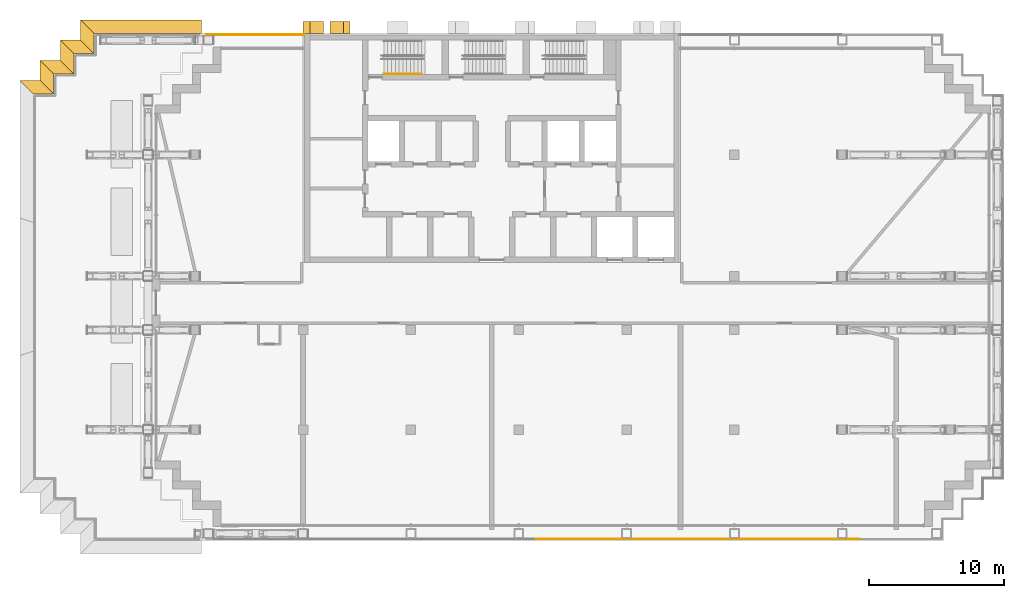
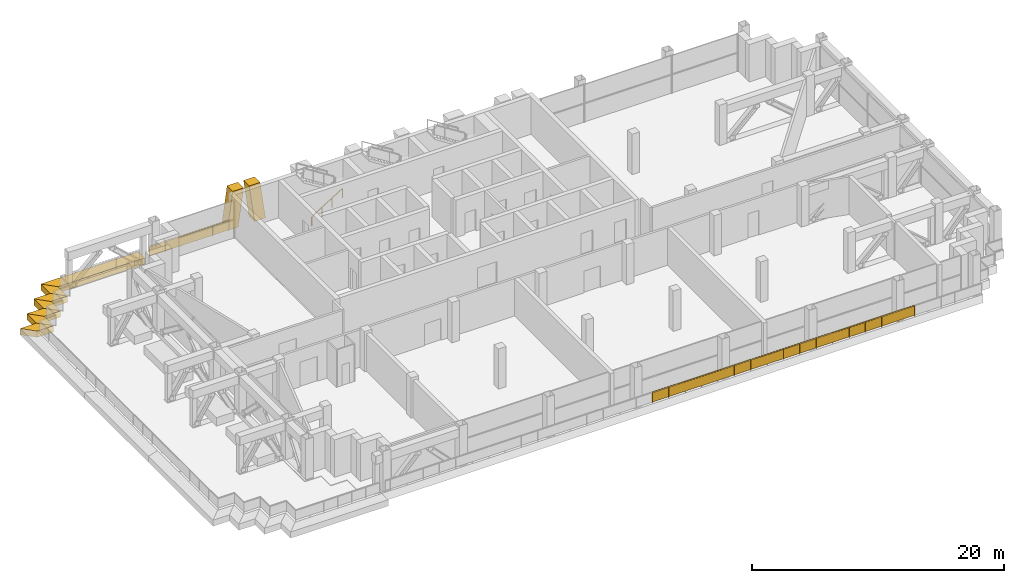
# One storey, part 19 of 21: 9 shading devices, 4 railings.
"""IFC4 building model written with IfcOpenShell, lengths in metres."""

import ifcopenshell
import ifcopenshell.guid

model = None  # the IFC model being written
_history = None  # IfcOwnerHistory: only IFC2X3 demands one
_inside = {}  # id of a spatial element -> (the spatial element, [elements in it])
_under = {}  # id of a project, library or spatial element -> (it, [spatial elements below it])
_declared = {}  # id of a project -> (the project, [libraries it declares])
_typed = {}  # id of a type object -> (the type object, [elements of that type])
_made_of = {}  # id of a material, layer set ... -> (it, [elements and type objects made of it])


def new_model(schema):
    """Start an empty IFC model of exactly this schema.

    Asked for "IFC4X3", IfcOpenShell would pick the latest addendum, in which some entities
    have other attributes; the version numbers below select the first issue.
    IFC2X3 requires an IfcOwnerHistory on every rooted entity: one is made here for all.
    """
    global model, _history
    if schema == "IFC4X3":
        model = ifcopenshell.file(schema_version=(4, 3, 0, 0))
    else:
        model = ifcopenshell.file(schema=schema)
    _inside.clear()
    _under.clear()
    _declared.clear()
    _typed.clear()
    _made_of.clear()
    _history = None
    if model.schema == "IFC2X3":
        org = make("IfcOrganization", Name="unknown")
        user = make(
            "IfcPersonAndOrganization",
            ThePerson=make("IfcPerson", FamilyName="unknown"),
            TheOrganization=org,
        )
        app = make(
            "IfcApplication",
            ApplicationDeveloper=org,
            Version="unknown",
            ApplicationFullName="unknown",
            ApplicationIdentifier="unknown",
        )
        _history = make(
            "IfcOwnerHistory",
            OwningUser=user,
            OwningApplication=app,
            ChangeAction="ADDED",
            CreationDate=0,
        )
    return model


def make(cls, **values):
    """One entity of the class cls with the attributes given. An attribute that is None is left unset."""
    return model.create_entity(
        cls, **{name: value for name, value in values.items() if value is not None}
    )


def rooted(cls, **values):
    """An entity with a GlobalId (a new one), such as an element, a storey or a relation."""
    return make(cls, GlobalId=ifcopenshell.guid.new(), OwnerHistory=_history, **values)


def si_unit(unit_type, name, prefix=None):
    """IfcSIUnit, for example si_unit("LENGTHUNIT", "METRE", prefix="MILLI")."""
    return make("IfcSIUnit", UnitType=unit_type, Prefix=prefix, Name=name)


def assignment(units):
    """IfcUnitAssignment: the units of a project."""
    return None if units is None else make("IfcUnitAssignment", Units=units)


def point(xyz):
    """IfcCartesianPoint."""
    return None if xyz is None else make("IfcCartesianPoint", Coordinates=xyz)


def direction(xyz):
    """IfcDirection."""
    return None if xyz is None else make("IfcDirection", DirectionRatios=xyz)


def frame(location, z_axis=None, x_axis=None):
    """IfcAxis2Placement3D, a coordinate frame: its origin and axes. An axis left out is left unset."""
    return make(
        "IfcAxis2Placement3D",
        Location=point(location),
        Axis=direction(z_axis),
        RefDirection=direction(x_axis),
    )


def frame_2d(location, x_axis=None):
    """IfcAxis2Placement2D, a coordinate frame in the plane: its origin and x axis."""
    return make(
        "IfcAxis2Placement2D", Location=point(location), RefDirection=direction(x_axis)
    )


def origin():
    """The frame at (0, 0, 0) with its axes left unset."""
    return frame((0.0, 0.0, 0.0))


def origin_2d():
    """The frame at (0, 0) in the plane with its x axis left unset."""
    return frame_2d((0.0, 0.0))


def place(relative_to, where):
    """IfcLocalPlacement: puts the frame where relative to a parent placement (None: the world)."""
    return make(
        "IfcLocalPlacement", PlacementRelTo=relative_to, RelativePlacement=where
    )


def context(
    kind, dimensions, precision=None, world=None, true_north=None, identifier=None
):
    """IfcGeometricRepresentationContext, for example the 3D "Model" context."""
    return make(
        "IfcGeometricRepresentationContext",
        ContextIdentifier=identifier,
        ContextType=kind,
        CoordinateSpaceDimension=dimensions,
        Precision=precision,
        WorldCoordinateSystem=world,
        TrueNorth=true_north,
    )


def subcontext(parent, identifier, kind, view, scale=None):
    """IfcGeometricRepresentationSubContext, for example "Body" below "Model"."""
    return make(
        "IfcGeometricRepresentationSubContext",
        ContextIdentifier=identifier,
        ContextType=kind,
        ParentContext=parent,
        TargetScale=scale,
        TargetView=view,
    )


def project(units=None, contexts=None):
    """IfcProject with its units and contexts."""
    return rooted(
        "IfcProject",
        Name="project",
        RepresentationContexts=contexts,
        UnitsInContext=assignment(units),
    )


def spatial(cls, under=None, at=None, **own):
    """A site, building, storey or space (cls), placed at a placement, below another one or the project."""
    s = rooted(cls, ObjectPlacement=at, **own)
    if under is not None:
        _under.setdefault(under.id(), (under, []))[1].append(s)
    return s


def polyline(points):
    """IfcPolyline through the points."""
    return make("IfcPolyline", Points=[point(p) for p in points])


def profile(cls, at=None, kind="AREA", **sizes):
    """A parametric profile (cls). Its sizes go by their IFC names, for example OverallWidth=200.0."""
    return make(cls, ProfileType=kind, Position=at, **sizes)


def rectangle(**sizes):
    """IfcRectangleProfileDef."""
    return profile("IfcRectangleProfileDef", **sizes)


def circle(**sizes):
    """IfcCircleProfileDef."""
    return profile("IfcCircleProfileDef", **sizes)


def outline(outer, holes=None, kind="AREA"):
    """IfcArbitraryClosedProfileDef: a profile drawn as a closed curve; with holes, ...WithVoids."""
    if holes is None:
        return make("IfcArbitraryClosedProfileDef", ProfileType=kind, OuterCurve=outer)
    return make(
        "IfcArbitraryProfileDefWithVoids",
        ProfileType=kind,
        OuterCurve=outer,
        InnerCurves=holes,
    )


def extrude(swept, where, along, depth):
    """IfcExtrudedAreaSolid: the profile swept, set in the frame where, extruded along a direction by depth."""
    return make(
        "IfcExtrudedAreaSolid",
        SweptArea=swept,
        Position=where,
        ExtrudedDirection=direction(along),
        Depth=depth,
    )


def shape(context_of_items, identifier, shape_type, items):
    """IfcShapeRepresentation: the items that make up one representation, for example the "Body"."""
    return make(
        "IfcShapeRepresentation",
        ContextOfItems=context_of_items,
        RepresentationIdentifier=identifier,
        RepresentationType=shape_type,
        Items=items,
    )


def material(Name=None, Category=None):
    """IfcMaterial."""
    return make("IfcMaterial", Name=Name, Category=Category)


def layer(
    of_material, thickness, ventilated=None, Name=None, Category=None, Priority=None
):
    """IfcMaterialLayer: one layer of a wall or slab, of a material (None: an air gap)."""
    return make(
        "IfcMaterialLayer",
        Material=of_material,
        LayerThickness=thickness,
        IsVentilated=ventilated,
        Name=Name,
        Category=Category,
        Priority=Priority,
    )


def layer_set(layers, Name=None):
    """IfcMaterialLayerSet."""
    return make("IfcMaterialLayerSet", MaterialLayers=layers, LayerSetName=Name)


def made_of(thing, what):
    """Note that an element or type object is made of a material, layer set ...; save() writes the relation."""
    if what is not None:
        _made_of.setdefault(what.id(), (what, []))[1].append(thing)
    return thing


def type_object(cls, material=None, **own):
    """A type object (cls), such as IfcWallType, which elements share."""
    return made_of(rooted(cls, **own), material)


def element(
    cls,
    number,
    at=None,
    inside=None,
    cuts=None,
    type_object=None,
    material=None,
    context=None,
    identifier="Body",
    shape_type=None,
    held_by="IfcProductDefinitionShape",
    body=None,
    shapes=None,
    **own,
):
    """One element of the class cls, such as IfcWall. Its Tag is "e" and its number.

    at: its placement. inside: the storey or other place that contains it. cuts: it is an
    opening in that element (IfcRelVoidsElement). A single representation is given by context,
    identifier, shape_type and body (its items); several are given by shapes. held_by: the class
    of the entity that holds the representations. save() writes the other relations.
    """
    e = rooted(cls, Tag="e%d" % number, ObjectPlacement=at, **own)
    if body is not None:
        shapes = [shape(context, identifier, shape_type, body)]
    if shapes is not None:
        e.Representation = make(held_by, Representations=shapes)
    if inside is not None:
        _inside.setdefault(inside.id(), (inside, []))[1].append(e)
    if cuts is not None:
        rooted(
            "IfcRelVoidsElement", RelatingBuildingElement=cuts, RelatedOpeningElement=e
        )
    if type_object is not None:
        _typed.setdefault(type_object.id(), (type_object, []))[1].append(e)
    return made_of(e, material)


def aggregate(whole, parts):
    """IfcRelAggregates: a whole, such as a stair, and the parts it consists of."""
    return rooted("IfcRelAggregates", RelatingObject=whole, RelatedObjects=parts)


def save(model, path):
    """Write the relations noted so far, then the file.

    IfcRelAggregates (storeys below a building ...), IfcRelContainedInSpatialStructure (elements
    in a storey), IfcRelDefinesByType, IfcRelAssociatesMaterial and IfcRelDeclares: one each for
    every whole, place, type object, material and project.
    """
    for whole, parts in _under.values():
        aggregate(whole, parts)
    for where, things in _inside.values():
        rooted(
            "IfcRelContainedInSpatialStructure",
            RelatedElements=things,
            RelatingStructure=where,
        )
    for kind, things in _typed.values():
        rooted("IfcRelDefinesByType", RelatedObjects=things, RelatingType=kind)
    for what, things in _made_of.values():
        rooted("IfcRelAssociatesMaterial", RelatedObjects=things, RelatingMaterial=what)
    for by, libraries in _declared.values():
        rooted("IfcRelDeclares", RelatingContext=by, RelatedDefinitions=libraries)
    model.write(path)


model = new_model("IFC4")

# Units and contexts
model_context = context("Model", 3, precision=1e-05, world=origin(), true_north=direction((0.0, 1.0)))
body_context = subcontext(model_context, "Body", "Model", "MODEL_VIEW")
ifc_project = project(units=[si_unit("LENGTHUNIT", "METRE"), si_unit("AREAUNIT", "SQUARE_METRE"), si_unit("VOLUMEUNIT", "CUBIC_METRE"), si_unit("PLANEANGLEUNIT", "RADIAN"), si_unit("MASSUNIT", "GRAM", prefix="KILO")], contexts=[model_context])

# Site, building, storey
site_placement = place(None, origin())
site = spatial("IfcSite", under=ifc_project, at=site_placement, CompositionType="ELEMENT")
building_placement = place(site_placement, origin())
building = spatial("IfcBuilding", under=site, at=building_placement, Name="Vidyagriha Tower", CompositionType="ELEMENT")
storey_placement = place(building_placement, frame((0.0, 0.0, 161.39990234375)))
storey = spatial("IfcBuildingStorey", under=building, at=storey_placement, Name="L41", CompositionType="ELEMENT", Elevation=161.39990234375)

# Shading devices
ifc_material_1 = material(Name="Precast concrete C40/50 with brick facing", Category="concrete")
ifc_layer_1 = layer(ifc_material_1, 1.0)
ifc_layer_set_1 = layer_set([ifc_layer_1], Name="Precast concrete C40/50 with brick facing")
shading_device_type_1 = type_object("IfcShadingDeviceType", Name="Brick chhajja fascia 600", PredefinedType="USERDEFINED", material=ifc_layer_set_1)
shading_device_1_placement = place(storey_placement, frame((0.0, 0.0, -0.599853515625)))
element("IfcShadingDevice", 1, at=shading_device_1_placement, inside=storey, type_object=shading_device_type_1, Name="Chhajja fascia TR-B4-1 1", ObjectType="CHHAJJA", PredefinedType="USERDEFINED", context=body_context, shape_type="SweptSolid", body=[
    extrude(outline(polyline([(-21.550048828125, 20.0), (-21.550048828125, 21.0), (-30.5, 21.0), (-29.5, 20.0), (-21.550048828125, 20.0)])), origin(), (0.0, 0.0, 1.0), 0.599853515625),
])
shading_device_2_placement = place(storey_placement, frame((0.0, 0.0, -0.599853515625)))
element("IfcShadingDevice", 2, at=shading_device_2_placement, inside=storey, type_object=shading_device_type_1, Name="Chhajja fascia TR-B4-1 2", ObjectType="CHHAJJA", PredefinedType="USERDEFINED", context=body_context, shape_type="SweptSolid", body=[
    extrude(outline(polyline([(-29.5, 20.0), (-30.5, 21.0), (-30.5, 19.5), (-29.5, 18.5), (-29.5, 20.0)])), origin(), (0.0, 0.0, 1.0), 0.599853515625),
])
shading_device_3_placement = place(storey_placement, frame((0.0, 0.0, -0.599853515625)))
element("IfcShadingDevice", 3, at=shading_device_3_placement, inside=storey, type_object=shading_device_type_1, Name="Chhajja fascia TR-B4-1 3", ObjectType="CHHAJJA", PredefinedType="USERDEFINED", context=body_context, shape_type="SweptSolid", body=[
    extrude(outline(polyline([(-29.5, 18.5), (-30.5, 19.5), (-32.0, 19.5), (-31.0, 18.5), (-29.5, 18.5)])), origin(), (0.0, 0.0, 1.0), 0.599853515625),
])
shading_device_4_placement = place(storey_placement, frame((0.0, 0.0, -0.599853515625)))
element("IfcShadingDevice", 4, at=shading_device_4_placement, inside=storey, type_object=shading_device_type_1, Name="Chhajja fascia TR-B4-1 4", ObjectType="CHHAJJA", PredefinedType="USERDEFINED", context=body_context, shape_type="SweptSolid", body=[
    extrude(outline(polyline([(-31.0, 18.5), (-32.0, 19.5), (-32.0, 18.0), (-31.0, 17.0), (-31.0, 18.5)])), origin(), (0.0, 0.0, 1.0), 0.599853515625),
])
shading_device_5_placement = place(storey_placement, frame((0.0, 0.0, -0.599853515625)))
element("IfcShadingDevice", 5, at=shading_device_5_placement, inside=storey, type_object=shading_device_type_1, Name="Chhajja fascia TR-B4-1 5", ObjectType="CHHAJJA", PredefinedType="USERDEFINED", context=body_context, shape_type="SweptSolid", body=[
    extrude(outline(polyline([(-31.0, 17.0), (-32.0, 18.0), (-33.5, 18.0), (-32.5, 17.0), (-31.0, 17.0)])), origin(), (0.0, 0.0, 1.0), 0.599853515625),
])
shading_device_6_placement = place(storey_placement, frame((0.0, 0.0, -0.599853515625)))
element("IfcShadingDevice", 6, at=shading_device_6_placement, inside=storey, type_object=shading_device_type_1, Name="Chhajja fascia TR-B4-1 6", ObjectType="CHHAJJA", PredefinedType="USERDEFINED", context=body_context, shape_type="SweptSolid", body=[
    extrude(outline(polyline([(-32.5, 17.0), (-33.5, 18.0), (-33.5, 16.5), (-32.5, 15.5), (-32.5, 17.0)])), origin(), (0.0, 0.0, 1.0), 0.599853515625),
])
shading_device_7_placement = place(storey_placement, frame((0.0, 0.0, -0.599853515625)))
element("IfcShadingDevice", 7, at=shading_device_7_placement, inside=storey, type_object=shading_device_type_1, Name="Chhajja fascia TR-B4-1 7", ObjectType="CHHAJJA", PredefinedType="USERDEFINED", context=body_context, shape_type="SweptSolid", body=[
    extrude(outline(polyline([(-32.5, 15.5), (-33.5, 16.5), (-35.0, 16.5), (-34.0, 15.5), (-32.5, 15.5)])), origin(), (0.0, 0.0, 1.0), 0.599853515625),
])
ifc_material_2 = material(Name="Precast concrete C40/50 with brick facing", Category="concrete")
ifc_layer_2 = layer(ifc_material_2, 1.0)
ifc_layer_set_2 = layer_set([ifc_layer_2], Name="Precast concrete C40/50 with brick facing")
shading_device_type_2 = type_object("IfcShadingDeviceType", Name="Brick-faced rear rib arm leaning 8 degrees", PredefinedType="USERDEFINED", material=ifc_layer_set_2)
shading_device_8_placement = place(storey_placement, frame((-10.5, 20.449951171875, 0.0), z_axis=(0.0, 0.0, 1.0), x_axis=(-1.0, 0.0, 0.0)))
element("IfcShadingDevice", 8, at=shading_device_8_placement, inside=storey, type_object=shading_device_type_2, Name="Rear rib arm L41 R08.5a", ObjectType="BLADE FIN", PredefinedType="USERDEFINED", context=body_context, shape_type="SweptSolid", body=[
    extrude(outline(polyline([(0.0, 0.0), (1.0, 0.0), (1.5, 3.6201171875), (0.5, 3.6201171875), (0.0, 0.0)])), frame((0.0, 0.449951171875, 0.0), z_axis=(0.0, -1.0, 0.0), x_axis=(1.0, 0.0, 0.0)), (0.0, 0.0, 1.0), 0.89990234375),
])
shading_device_9_placement = place(storey_placement, frame((-12.5, 20.449951171875, 0.0), z_axis=(0.0, 0.0, 1.0), x_axis=(-1.0, 0.0, 0.0)))
element("IfcShadingDevice", 9, at=shading_device_9_placement, inside=storey, type_object=shading_device_type_2, Name="Rear rib arm L41 R08.5b", ObjectType="BLADE FIN", PredefinedType="USERDEFINED", context=body_context, shape_type="SweptSolid", body=[
    extrude(outline(polyline([(0.5, 0.0), (1.5, 0.0), (1.0, 3.6201171875), (0.0, 3.6201171875), (0.5, 0.0)])), frame((0.0, 0.449951171875, 0.0), z_axis=(0.0, -1.0, 0.0), x_axis=(1.0, 0.0, 0.0)), (0.0, 0.0, 1.0), 0.89990234375),
])

# Railings
ifc_material_3 = material(Name="Steel ASTM A500 Grade C black painted", Category="steel")
railing_type_1 = type_object("IfcRailingType", Name="Gallery guard 1100", PredefinedType="GUARDRAIL", material=ifc_material_3)
for number, where, name in (
    (10, (27.27001953125, -17.5, 0.0), "Gallery guard L41 7"),
    (11, (15.27001953125, -17.5, 0.0), "Gallery guard L41 8"),
):
    element("IfcRailing", number, at=place(storey_placement, frame(where)), inside=storey, type_object=railing_type_1, Name=name, PredefinedType="GUARDRAIL", context=body_context, shape_type="SweptSolid", body=[
        extrude(circle(Radius=0.02490234375, at=origin_2d()), frame((0.0, 0.0, 1.0751953125), z_axis=(-1.0, 0.0, 0.0), x_axis=(0.0, -1.0, 0.0)), (0.0, 0.0, 1.0), 12.0),
        extrude(circle(Radius=0.02001953125, at=origin_2d()), origin(), (0.0, 0.0, 1.0), 1.050048828125),
        extrude(circle(Radius=0.02001953125, at=origin_2d()), frame((-1.5, 0.0, 0.0)), (0.0, 0.0, 1.0), 1.050048828125),
        extrude(circle(Radius=0.02001953125, at=origin_2d()), frame((-3.0, 0.0, 0.0)), (0.0, 0.0, 1.0), 1.050048828125),
        extrude(circle(Radius=0.02001953125, at=origin_2d()), frame((-4.5, 0.0, 0.0)), (0.0, 0.0, 1.0), 1.050048828125),
        extrude(circle(Radius=0.02001953125, at=origin_2d()), frame((-6.0, 0.0, 0.0)), (0.0, 0.0, 1.0), 1.050048828125),
        extrude(circle(Radius=0.02001953125, at=origin_2d()), frame((-7.5, 0.0, 0.0)), (0.0, 0.0, 1.0), 1.050048828125),
        extrude(circle(Radius=0.02001953125, at=origin_2d()), frame((-9.0, 0.0, 0.0)), (0.0, 0.0, 1.0), 1.050048828125),
        extrude(circle(Radius=0.02001953125, at=origin_2d()), frame((-10.5, 0.0, 0.0)), (0.0, 0.0, 1.0), 1.050048828125),
        extrude(circle(Radius=0.02001953125, at=origin_2d()), frame((-12.0, 0.0, 0.0)), (0.0, 0.0, 1.0), 1.050048828125),
        extrude(rectangle(XDim=0.010009765625, YDim=0.900146484375, at=origin_2d()), frame((0.0, 0.0, 0.550048828125), z_axis=(-1.0, 0.0, 0.0), x_axis=(0.0, -1.0, 0.0)), (0.0, 0.0, 1.0), 12.0),
    ])
railing_1_placement = place(storey_placement, frame((-21.18994140625, 19.89990234375, 0.0)))
element("IfcRailing", 12, at=railing_1_placement, inside=storey, type_object=railing_type_1, Name="Gallery guard L41 12", PredefinedType="GUARDRAIL", context=body_context, shape_type="SweptSolid", body=[
    extrude(circle(Radius=0.02490234375, at=origin_2d()), frame((0.0, 0.0, 1.0751953125), z_axis=(1.0, 0.0, 0.0), x_axis=(0.0, 1.0, 0.0)), (0.0, 0.0, 1.0), 7.260009765625),
    extrude(circle(Radius=0.02001953125, at=origin_2d()), origin(), (0.0, 0.0, 1.0), 1.050048828125),
    extrude(circle(Radius=0.02001953125, at=origin_2d()), frame((1.451904296875, 0.0, 0.0)), (0.0, 0.0, 1.0), 1.050048828125),
    extrude(circle(Radius=0.02001953125, at=origin_2d()), frame((2.904052734375, 0.0, 0.0)), (0.0, 0.0, 1.0), 1.050048828125),
    extrude(circle(Radius=0.02001953125, at=origin_2d()), frame((4.35595703125, 0.0, 0.0)), (0.0, 0.0, 1.0), 1.050048828125),
    extrude(circle(Radius=0.02001953125, at=origin_2d()), frame((5.80810546875, 0.0, 0.0)), (0.0, 0.0, 1.0), 1.050048828125),
    extrude(circle(Radius=0.02001953125, at=origin_2d()), frame((7.260009765625, 0.0, 0.0)), (0.0, 0.0, 1.0), 1.050048828125),
    extrude(rectangle(XDim=0.010009765625, YDim=0.900146484375, at=origin_2d()), frame((0.0, 0.0, 0.550048828125), z_axis=(1.0, 0.0, 0.0), x_axis=(0.0, 1.0, 0.0)), (0.0, 0.0, 1.0), 7.260009765625),
])
ifc_material_4 = material(Name="Steel ASTM A500 Grade C", Category="steel")
railing_type_2 = type_object("IfcRailingType", Name="Stair handrail 900 mm, steel", PredefinedType="HANDRAIL", material=ifc_material_4)
railing_2_placement = place(storey_placement, frame((-8.0, 17.0, 0.177490234375)))
element("IfcRailing", 13, at=railing_2_placement, inside=storey, type_object=railing_type_2, Name="L41 ST1 stair handrail 1", PredefinedType="HANDRAIL", context=body_context, shape_type="SweptSolid", body=[
    extrude(circle(Radius=0.02392578125, at=origin_2d()), frame((0.0, 0.0, 0.8759765625), z_axis=(0.844908973607, 0.0, 0.534910110503), x_axis=(0.0, 1.0, 0.0)), (0.0, 0.0, 1.0), 3.31396484375),
    extrude(circle(Radius=0.02099609375, at=origin_2d()), origin(), (0.0, 0.0, 1.0), 0.851806640625),
    extrude(circle(Radius=0.02099609375, at=origin_2d()), frame((0.933349609375, 0.0, 0.5908203125)), (0.0, 0.0, 1.0), 0.851806640625),
    extrude(circle(Radius=0.02099609375, at=origin_2d()), frame((1.86669921875, 0.0, 1.181884765625)), (0.0, 0.0, 1.0), 0.851806640625),
    extrude(circle(Radius=0.02099609375, at=origin_2d()), frame((2.800048828125, 0.0, 1.772705078125)), (0.0, 0.0, 1.0), 0.851806640625),
])

save(model, "model.ifc")
